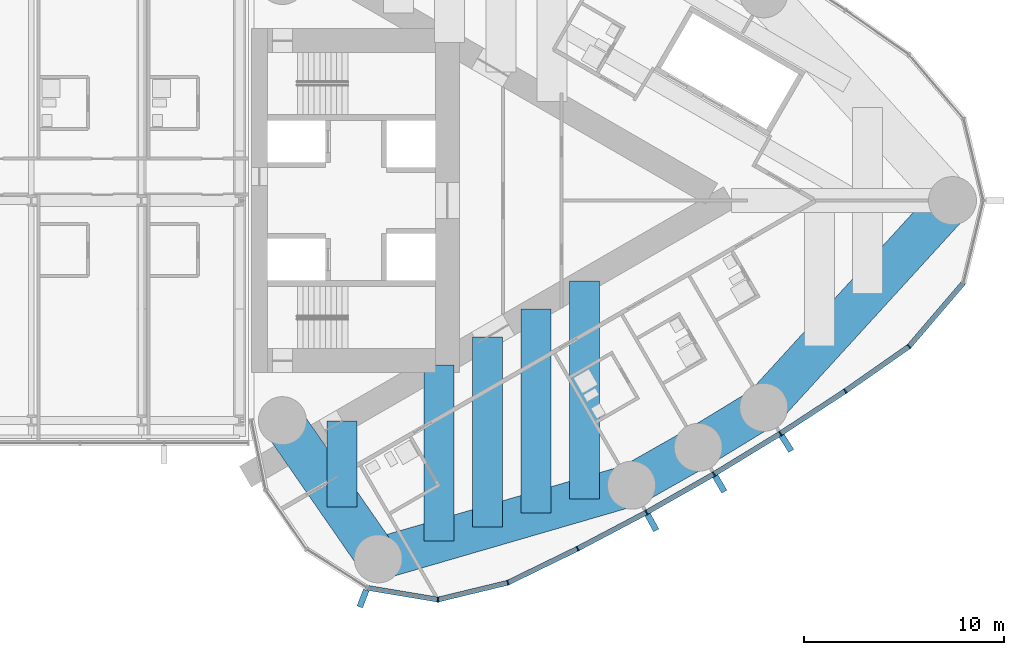
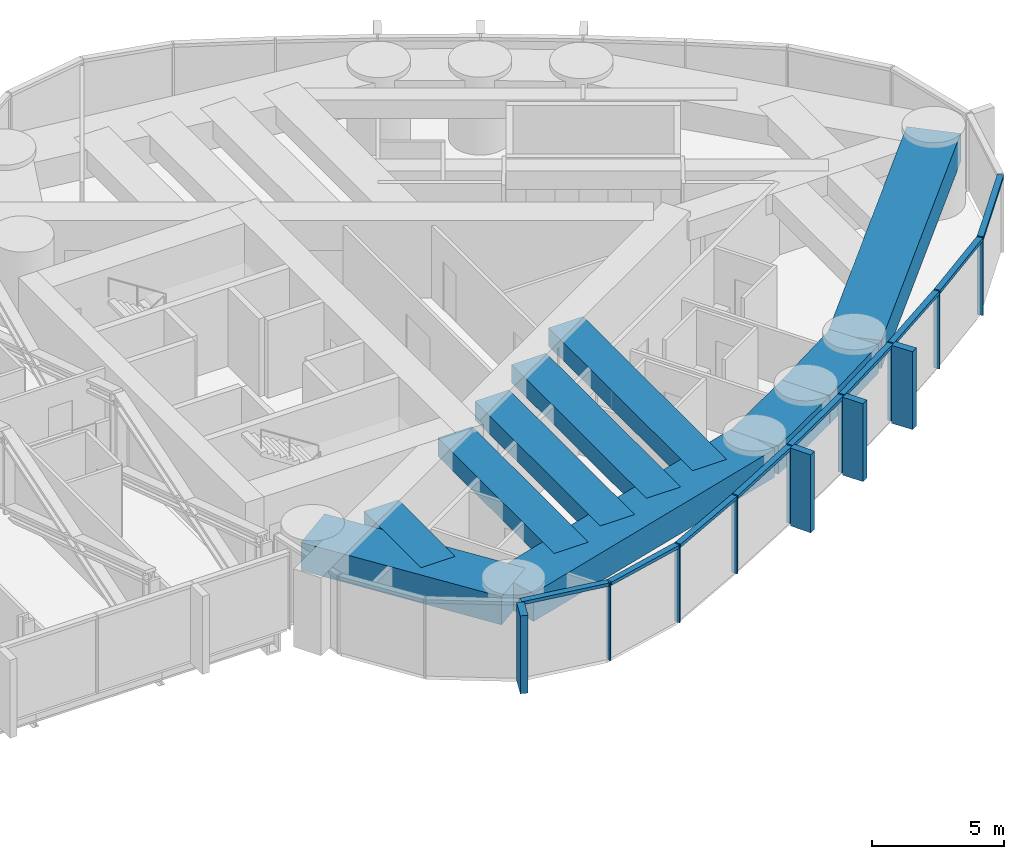
# One storey, part 9 of 23: 21 members, 10 beams, 1 element without a shape of its own.
"""IFC4 building model written with IfcOpenShell, lengths in metres."""

from ifc_helpers import new_model, si_unit, direction, frame, origin, origin_2d, place, context, subcontext, project, spatial, rectangle, extrude, material, material_profile, profile_set, type_object, element, aggregate, save


model = new_model("IFC4")

# Units and contexts
model_context = context("Model", 3, precision=1e-05, world=origin(), true_north=direction((0.0, 1.0)))
body_context = subcontext(model_context, "Body", "Model", "MODEL_VIEW")
ifc_project = project(units=[si_unit("LENGTHUNIT", "METRE"), si_unit("AREAUNIT", "SQUARE_METRE"), si_unit("VOLUMEUNIT", "CUBIC_METRE"), si_unit("PLANEANGLEUNIT", "RADIAN"), si_unit("MASSUNIT", "GRAM", prefix="KILO")], contexts=[model_context])

# Site, building, storey
site_placement = place(None, origin())
site = spatial("IfcSite", under=ifc_project, at=site_placement, CompositionType="ELEMENT")
building_placement = place(site_placement, origin())
building = spatial("IfcBuilding", under=site, at=building_placement, Name="Lancet Gate Hotel", CompositionType="ELEMENT")
storey_placement = place(building_placement, frame((0.0, 0.0, 240.5)))
storey = spatial("IfcBuildingStorey", under=building, at=storey_placement, Name="L64", CompositionType="ELEMENT", Elevation=240.5)

# Curtain wall, members
ifc_material_1 = material(Name="Aluminium curtain wall", Category="aluminium")
curtain_wall_type = type_object("IfcCurtainWallType", Name="Tower unitised curtain wall", PredefinedType="USERDEFINED", material=ifc_material_1)
curtain_wall_placement = place(storey_placement, origin())
curtain_wall = element("IfcCurtainWall", 1, at=curtain_wall_placement, inside=storey, type_object=curtain_wall_type, Name="T2 L64 curtain wall 1", ObjectType="UNITISED CURTAIN WALL", PredefinedType="USERDEFINED")
ifc_material_2 = material(Name="Aluminium mullion", Category="aluminium")
ifc_material_profile_1 = material_profile(ifc_material_2, rectangle(XDim=0.06494140625, YDim=0.25, at=origin_2d()), Name="MULLION 65x250")
ifc_profile_set_1 = profile_set([ifc_material_profile_1], Name="Aluminium mullion")
member_type_1 = type_object("IfcMemberType", Name="Aluminium mullion 65x250", PredefinedType="MULLION", material=ifc_profile_set_1)
member_1_placement = place(storey_placement, frame((36.826171875, -19.942138671875, 0.0), z_axis=(0.0, 0.0, 1.0), x_axis=(0.999342744911, 0.03625021647, 0.0)))
member_1 = element("IfcMember", 2, at=member_1_placement, type_object=member_type_1, Name="T2 L64 curtain wall 1 mullion 5", PredefinedType="MULLION", context=body_context, shape_type="SweptSolid", body=[
    extrude(rectangle(XDim=0.06494140625, YDim=0.25, at=origin_2d()), origin(), (0.0, 0.0, 1.0), 3.60009765625),
])
member_2_placement = place(storey_placement, frame((40.3173828125, -19.098388671875, 0.0), z_axis=(0.0, 0.0, 1.0), x_axis=(0.939483740419, 0.342593493061, 0.0)))
member_2 = element("IfcMember", 3, at=member_2_placement, type_object=member_type_1, Name="T2 L64 curtain wall 1 mullion 6", PredefinedType="MULLION", context=body_context, shape_type="SweptSolid", body=[
    extrude(rectangle(XDim=0.06494140625, YDim=0.25, at=origin_2d()), origin(), (0.0, 0.0, 1.0), 3.60009765625),
])
member_3_placement = place(storey_placement, frame((43.80810546875, -17.396240234375, 0.0), z_axis=(0.0, 0.0, 1.0), x_axis=(0.891832977257, 0.452364831389, 0.0)))
member_3 = element("IfcMember", 4, at=member_3_placement, type_object=member_type_1, Name="T2 L64 curtain wall 1 mullion 7", PredefinedType="MULLION", context=body_context, shape_type="SweptSolid", body=[
    extrude(rectangle(XDim=0.06494140625, YDim=0.25, at=origin_2d()), origin(), (0.0, 0.0, 1.0), 3.60009765625),
])
member_4_placement = place(storey_placement, frame((47.24365234375, -15.585205078125, 0.0), z_axis=(0.0, 0.0, 1.0), x_axis=(0.877194589488, 0.480135035352, 0.0)))
member_4 = element("IfcMember", 5, at=member_4_placement, type_object=member_type_1, Name="T2 L64 curtain wall 1 mullion 8", PredefinedType="MULLION", context=body_context, shape_type="SweptSolid", body=[
    extrude(rectangle(XDim=0.06494140625, YDim=0.25, at=origin_2d()), origin(), (0.0, 0.0, 1.0), 3.60009765625),
])
member_5_placement = place(storey_placement, frame((50.62060546875, -13.667236328125, 0.0), z_axis=(0.0, 0.0, 1.0), x_axis=(0.861691755738, 0.507432082247, 0.0)))
member_5 = element("IfcMember", 6, at=member_5_placement, type_object=member_type_1, Name="T2 L64 curtain wall 1 mullion 9", PredefinedType="MULLION", context=body_context, shape_type="SweptSolid", body=[
    extrude(rectangle(XDim=0.06494140625, YDim=0.25, at=origin_2d()), origin(), (0.0, 0.0, 1.0), 3.60009765625),
])
member_6_placement = place(storey_placement, frame((53.935791015625, -11.644287109375, 0.0), z_axis=(0.0, 0.0, 1.0), x_axis=(0.845339753513, 0.534229071777, 0.0)))
member_6 = element("IfcMember", 7, at=member_6_placement, type_object=member_type_1, Name="T2 L64 curtain wall 1 mullion 10", PredefinedType="MULLION", context=body_context, shape_type="SweptSolid", body=[
    extrude(rectangle(XDim=0.06494140625, YDim=0.25, at=origin_2d()), origin(), (0.0, 0.0, 1.0), 3.60009765625),
])
member_7_placement = place(storey_placement, frame((57.185791015625, -9.518310546875, 0.0), z_axis=(0.0, 0.0, 1.0), x_axis=(0.828154697184, 0.560499596371, 0.0)))
member_7 = element("IfcMember", 8, at=member_7_placement, type_object=member_type_1, Name="T2 L64 curtain wall 1 mullion 11", PredefinedType="MULLION", context=body_context, shape_type="SweptSolid", body=[
    extrude(rectangle(XDim=0.06494140625, YDim=0.25, at=origin_2d()), origin(), (0.0, 0.0, 1.0), 3.60009765625),
])
member_8_placement = place(storey_placement, frame((60.367431640625, -7.291259765625, 0.0), z_axis=(0.0, 0.0, 1.0), x_axis=(0.737323173512, 0.675540182226, 0.0)))
member_8 = element("IfcMember", 9, at=member_8_placement, type_object=member_type_1, Name="T2 L64 curtain wall 1 mullion 12", PredefinedType="MULLION", context=body_context, shape_type="SweptSolid", body=[
    extrude(rectangle(XDim=0.06494140625, YDim=0.25, at=origin_2d()), origin(), (0.0, 0.0, 1.0), 3.60009765625),
])
ifc_material_3 = material(Name="Aluminium transom", Category="aluminium")
ifc_material_profile_2 = material_profile(ifc_material_3, rectangle(XDim=0.25, YDim=0.14990234375, at=origin_2d()), Name="TRANSOM 250x150")
ifc_profile_set_2 = profile_set([ifc_material_profile_2], Name="Aluminium transom")
member_type_2 = type_object("IfcMemberType", Name="Aluminium transom 250x150", PredefinedType="USERDEFINED", material=ifc_profile_set_2)
member_9_placement = place(storey_placement, frame((33.315185546875, -19.35888671875, 3.52490234375), z_axis=(0.986483584545, -0.163860115412, 0.0), x_axis=(0.163860115412, 0.986483584545, 0.0)))
member_9 = element("IfcMember", 10, at=member_9_placement, type_object=member_type_2, Name="T2 L64 curtain wall 1 transom 4", ObjectType="TRANSOM", PredefinedType="USERDEFINED", context=body_context, shape_type="SweptSolid", body=[
    extrude(rectangle(XDim=0.25, YDim=0.14990234375, at=origin_2d()), origin(), (0.0, 0.0, 1.0), 3.526611328125),
])
member_10_placement = place(storey_placement, frame((36.85791015625, -19.9345703125, 3.52490234375), z_axis=(0.972002653858, 0.234969872307, 0.0), x_axis=(-0.234969872307, 0.972002653858, 0.0)))
member_10 = element("IfcMember", 11, at=member_10_placement, type_object=member_type_2, Name="T2 L64 curtain wall 1 transom 5", ObjectType="TRANSOM", PredefinedType="USERDEFINED", context=body_context, shape_type="SweptSolid", body=[
    extrude(rectangle(XDim=0.25, YDim=0.14990234375, at=origin_2d()), origin(), (0.0, 0.0, 1.0), 3.5263671875),
])
member_11_placement = place(storey_placement, frame((40.346435546875, -19.084228515625, 3.52490234375), z_axis=(0.898820051991, 0.438317823206, 0.0), x_axis=(-0.438317823206, 0.898820051991, 0.0)))
member_11 = element("IfcMember", 12, at=member_11_placement, type_object=member_type_2, Name="T2 L64 curtain wall 1 transom 6", ObjectType="TRANSOM", PredefinedType="USERDEFINED", context=body_context, shape_type="SweptSolid", body=[
    extrude(rectangle(XDim=0.25, YDim=0.14990234375, at=origin_2d()), origin(), (0.0, 0.0, 1.0), 3.81884765625),
])
member_12_placement = place(storey_placement, frame((43.836669921875, -17.381103515625, 3.52490234375), z_axis=(0.884618491031, 0.466315478325, 0.0), x_axis=(-0.466315478325, 0.884618491031, 0.0)))
member_12 = element("IfcMember", 13, at=member_12_placement, type_object=member_type_2, Name="T2 L64 curtain wall 1 transom 7", ObjectType="TRANSOM", PredefinedType="USERDEFINED", context=body_context, shape_type="SweptSolid", body=[
    extrude(rectangle(XDim=0.25, YDim=0.14990234375, at=origin_2d()), origin(), (0.0, 0.0, 1.0), 3.81884765625),
])
member_13_placement = place(storey_placement, frame((47.271728515625, -15.569091796875, 3.52490234375), z_axis=(0.869562011924, 0.493823761496, 0.0), x_axis=(-0.493823761496, 0.869562011924, 0.0)))
member_13 = element("IfcMember", 14, at=member_13_placement, type_object=member_type_2, Name="T2 L64 curtain wall 1 transom 8", ObjectType="TRANSOM", PredefinedType="USERDEFINED", context=body_context, shape_type="SweptSolid", body=[
    extrude(rectangle(XDim=0.25, YDim=0.14990234375, at=origin_2d()), origin(), (0.0, 0.0, 1.0), 3.818603515625),
])
member_14_placement = place(storey_placement, frame((50.648193359375, -13.650390625, 3.52490234375), z_axis=(0.853638798527, 0.520865435261, 0.0), x_axis=(-0.520865435261, 0.853638798527, 0.0)))
member_14 = element("IfcMember", 15, at=member_14_placement, type_object=member_type_2, Name="T2 L64 curtain wall 1 transom 9", ObjectType="TRANSOM", PredefinedType="USERDEFINED", context=body_context, shape_type="SweptSolid", body=[
    extrude(rectangle(XDim=0.25, YDim=0.14990234375, at=origin_2d()), origin(), (0.0, 0.0, 1.0), 3.818603515625),
])
member_15_placement = place(storey_placement, frame((53.962890625, -11.62646484375, 3.52490234375), z_axis=(0.836858089593, 0.547419891749, 0.0), x_axis=(-0.547419891749, 0.836858089593, 0.0)))
member_15 = element("IfcMember", 16, at=member_15_placement, type_object=member_type_2, Name="T2 L64 curtain wall 1 transom 10", ObjectType="TRANSOM", PredefinedType="USERDEFINED", context=body_context, shape_type="SweptSolid", body=[
    extrude(rectangle(XDim=0.25, YDim=0.14990234375, at=origin_2d()), origin(), (0.0, 0.0, 1.0), 3.818603515625),
])
member_16_placement = place(storey_placement, frame((57.21240234375, -9.499755859375, 3.52490234375), z_axis=(0.819255948852, 0.573428016642, 0.0), x_axis=(-0.573428016642, 0.819255948852, 0.0)))
member_16 = element("IfcMember", 17, at=member_16_placement, type_object=member_type_2, Name="T2 L64 curtain wall 1 transom 11", ObjectType="TRANSOM", PredefinedType="USERDEFINED", context=body_context, shape_type="SweptSolid", body=[
    extrude(rectangle(XDim=0.25, YDim=0.14990234375, at=origin_2d()), origin(), (0.0, 0.0, 1.0), 3.818603515625),
])
member_17_placement = place(storey_placement, frame((60.388427734375, -7.2666015625, 3.52490234375), z_axis=(0.650592500186, 0.759427019997, 0.0), x_axis=(-0.759427019997, 0.650592500186, 0.0)))
member_17 = element("IfcMember", 18, at=member_17_placement, type_object=member_type_2, Name="T2 L64 curtain wall 1 transom 12", ObjectType="TRANSOM", PredefinedType="USERDEFINED", context=body_context, shape_type="SweptSolid", body=[
    extrude(rectangle(XDim=0.25, YDim=0.14990234375, at=origin_2d()), origin(), (0.0, 0.0, 1.0), 4.1455078125),
])

# Beams
ifc_material_4 = material(Name="Concrete C50/60", Category="concrete")
ifc_material_profile_3 = material_profile(ifc_material_4, rectangle(XDim=2.10009765625, YDim=1.300048828125, at=origin_2d()), Name="RC 2100x1300")
ifc_profile_set_3 = profile_set([ifc_material_profile_3], Name="Concrete C50/60")
beam_type_1 = type_object("IfcBeamType", Name="Edge beam RC 2100x1300", PredefinedType="SPANDREL", material=ifc_profile_set_3)
beam_1_placement = place(storey_placement, frame((33.837158203125, -17.906005859375, 2.699951171875), z_axis=(0.960258384252, 0.279112585659, 0.0), x_axis=(-0.279112585659, 0.960258384252, 0.0)))
element("IfcBeam", 19, at=beam_1_placement, inside=storey, type_object=beam_type_1, Name="T2 edge beam EB1 L64", PredefinedType="SPANDREL", context=body_context, shape_type="SweptSolid", body=[
    extrude(rectangle(XDim=2.10009765625, YDim=1.300048828125, at=origin_2d()), origin(), (0.0, 0.0, 1.0), 13.18603515625),
])
beam_2_placement = place(storey_placement, frame((46.499267578125, -14.2255859375, 2.699951171875), z_axis=(0.869560321562, 0.493826738001, 0.0), x_axis=(-0.493826738001, 0.869560321562, 0.0)))
element("IfcBeam", 20, at=beam_2_placement, inside=storey, type_object=beam_type_1, Name="T2 edge beam EB1 L64", PredefinedType="SPANDREL", context=body_context, shape_type="SweptSolid", body=[
    extrude(rectangle(XDim=2.10009765625, YDim=1.300048828125, at=origin_2d()), origin(), (0.0, 0.0, 1.0), 3.8349609375),
])
beam_3_placement = place(storey_placement, frame((49.833984375, -12.331787109375, 2.699951171875), z_axis=(0.853604257265, 0.520922040212, 0.0), x_axis=(-0.520922040212, 0.853604257265, 0.0)))
element("IfcBeam", 21, at=beam_3_placement, inside=storey, type_object=beam_type_1, Name="T2 edge beam EB1 L64", PredefinedType="SPANDREL", context=body_context, shape_type="SweptSolid", body=[
    extrude(rectangle(XDim=2.10009765625, YDim=1.300048828125, at=origin_2d()), origin(), (0.0, 0.0, 1.0), 3.835205078125),
])
beam_4_placement = place(storey_placement, frame((53.107666015625, -10.333984375, 2.699951171875), z_axis=(0.674209372947, 0.738540263919, 0.0), x_axis=(-0.738540263919, 0.674209372947, 0.0)))
element("IfcBeam", 22, at=beam_4_placement, inside=storey, type_object=beam_type_1, Name="T2 edge beam EB1 L64", PredefinedType="SPANDREL", context=body_context, shape_type="SweptSolid", body=[
    extrude(rectangle(XDim=2.10009765625, YDim=1.300048828125, at=origin_2d()), origin(), (0.0, 0.0, 1.0), 13.992431640625),
])
beam_5_placement = place(storey_placement, frame((33.837158203125, -17.906005859375, 2.699951171875), z_axis=(-0.569694852599, 0.821856298219, 0.0), x_axis=(-0.821856298219, -0.569694852599, 0.0)))
element("IfcBeam", 23, at=beam_5_placement, inside=storey, type_object=beam_type_1, Name="T2 edge beam EB1 L64", PredefinedType="SPANDREL", context=body_context, shape_type="SweptSolid", body=[
    extrude(rectangle(XDim=2.10009765625, YDim=1.300048828125, at=origin_2d()), origin(), (0.0, 0.0, 1.0), 8.40283203125),
])

# Member
ifc_material_5 = material(Name="Precast concrete C50/60", Category="concrete")
ifc_material_profile_4 = material_profile(ifc_material_5, rectangle(XDim=0.300048828125, YDim=0.89990234375, at=origin_2d()), Name="FIN 300x900")
ifc_profile_set_4 = profile_set([ifc_material_profile_4], Name="Precast concrete C50/60")
member_type_3 = type_object("IfcMemberType", Name="Exposed concrete fin 300x900", PredefinedType="USERDEFINED", material=ifc_profile_set_4)
member_18_placement = place(storey_placement, frame((33.07763671875, -19.890625, 0.0), z_axis=(0.0, 0.0, 1.0), x_axis=(0.93394321776, -0.357421412343, 0.0)))
member_18 = element("IfcMember", 24, at=member_18_placement, type_object=member_type_3, Name="T2 L64 curtain wall 1 fin 4", ObjectType="FIN", PredefinedType="USERDEFINED", context=body_context, shape_type="SweptSolid", body=[
    extrude(rectangle(XDim=0.300048828125, YDim=0.89990234375, at=origin_2d()), origin(), (0.0, 0.0, 1.0), 3.60009765625),
])

member_19_placement = place(storey_placement, frame((47.51953125, -16.089599609375, 0.0), z_axis=(0.0, 0.0, 1.0), x_axis=(0.877194589488, 0.480135035352, 0.0)))
member_19 = element("IfcMember", 25, at=member_19_placement, type_object=member_type_3, Name="T2 L64 curtain wall 1 fin 8", ObjectType="FIN", PredefinedType="USERDEFINED", context=body_context, shape_type="SweptSolid", body=[
    extrude(rectangle(XDim=0.300048828125, YDim=0.89990234375, at=origin_2d()), origin(), (0.0, 0.0, 1.0), 3.60009765625),
])

member_20_placement = place(storey_placement, frame((50.912353515625, -14.162841796875, 0.0), z_axis=(0.0, 0.0, 1.0), x_axis=(0.861691755738, 0.507432082247, 0.0)))
member_20 = element("IfcMember", 26, at=member_20_placement, type_object=member_type_3, Name="T2 L64 curtain wall 1 fin 9", ObjectType="FIN", PredefinedType="USERDEFINED", context=body_context, shape_type="SweptSolid", body=[
    extrude(rectangle(XDim=0.300048828125, YDim=0.89990234375, at=origin_2d()), origin(), (0.0, 0.0, 1.0), 3.60009765625),
])

member_21_placement = place(storey_placement, frame((54.242919921875, -12.13037109375, 0.0), z_axis=(0.0, 0.0, 1.0), x_axis=(0.845339753513, 0.534229071777, 0.0)))
member_21 = element("IfcMember", 27, at=member_21_placement, type_object=member_type_3, Name="T2 L64 curtain wall 1 fin 10", ObjectType="FIN", PredefinedType="USERDEFINED", context=body_context, shape_type="SweptSolid", body=[
    extrude(rectangle(XDim=0.300048828125, YDim=0.89990234375, at=origin_2d()), origin(), (0.0, 0.0, 1.0), 3.60009765625),
])

aggregate(curtain_wall, [member_18, member_1, member_2, member_3, member_4, member_19, member_5, member_20, member_6, member_21, member_7, member_8, member_9, member_10, member_11, member_12, member_13, member_14, member_15, member_16, member_17])

# Beams
ifc_material_6 = material(Name="Concrete C50/60", Category="concrete")
ifc_material_profile_5 = material_profile(ifc_material_6, rectangle(XDim=1.5, YDim=0.85009765625, at=origin_2d()), Name="RC 1500x850")
ifc_profile_set_5 = profile_set([ifc_material_profile_5], Name="Concrete C50/60")
beam_type_2 = type_object("IfcBeamType", Name="Floor beam RC 1500x850", PredefinedType="BEAM", material=ifc_profile_set_5)
beam_6_placement = place(storey_placement, frame((32.04052734375, -15.31396484375, 2.925048828125), z_axis=(0.0, 1.0, 0.0), x_axis=(-1.0, 0.0, 0.0)))
element("IfcBeam", 28, at=beam_6_placement, inside=storey, type_object=beam_type_2, Name="T2 floor beam F01S L64", PredefinedType="BEAM", context=body_context, shape_type="SweptSolid", body=[
    extrude(rectangle(XDim=1.5, YDim=0.85009765625, at=origin_2d()), origin(), (0.0, 0.0, 1.0), 4.30859375),
])
beam_7_placement = place(storey_placement, frame((36.880859375, -17.021240234375, 2.925048828125), z_axis=(0.0, 1.0, 0.0), x_axis=(-1.0, 0.0, 0.0)))
element("IfcBeam", 29, at=beam_7_placement, inside=storey, type_object=beam_type_2, Name="T2 floor beam F03S L64", PredefinedType="BEAM", context=body_context, shape_type="SweptSolid", body=[
    extrude(rectangle(XDim=1.5, YDim=0.85009765625, at=origin_2d()), origin(), (0.0, 0.0, 1.0), 8.810546875),
])
beam_8_placement = place(storey_placement, frame((39.301025390625, -16.31787109375, 2.925048828125), z_axis=(0.0, 1.0, 0.0), x_axis=(-1.0, 0.0, 0.0)))
element("IfcBeam", 30, at=beam_8_placement, inside=storey, type_object=beam_type_2, Name="T2 floor beam F05S L64", PredefinedType="BEAM", context=body_context, shape_type="SweptSolid", body=[
    extrude(rectangle(XDim=1.5, YDim=0.85009765625, at=origin_2d()), origin(), (0.0, 0.0, 1.0), 9.50439453125),
])
beam_9_placement = place(storey_placement, frame((41.721435546875, -15.6142578125, 2.925048828125), z_axis=(0.0, 1.0, 0.0), x_axis=(-1.0, 0.0, 0.0)))
element("IfcBeam", 31, at=beam_9_placement, inside=storey, type_object=beam_type_2, Name="T2 floor beam F07S L64", PredefinedType="BEAM", context=body_context, shape_type="SweptSolid", body=[
    extrude(rectangle(XDim=1.5, YDim=0.85009765625, at=origin_2d()), origin(), (0.0, 0.0, 1.0), 10.1982421875),
])
beam_10_placement = place(storey_placement, frame((44.1416015625, -14.910888671875, 2.925048828125), z_axis=(0.0, 1.0, 0.0), x_axis=(-1.0, 0.0, 0.0)))
element("IfcBeam", 32, at=beam_10_placement, inside=storey, type_object=beam_type_2, Name="T2 floor beam F09S L64", PredefinedType="BEAM", context=body_context, shape_type="SweptSolid", body=[
    extrude(rectangle(XDim=1.5, YDim=0.85009765625, at=origin_2d()), origin(), (0.0, 0.0, 1.0), 10.89208984375),
])

save(model, "model.ifc")
